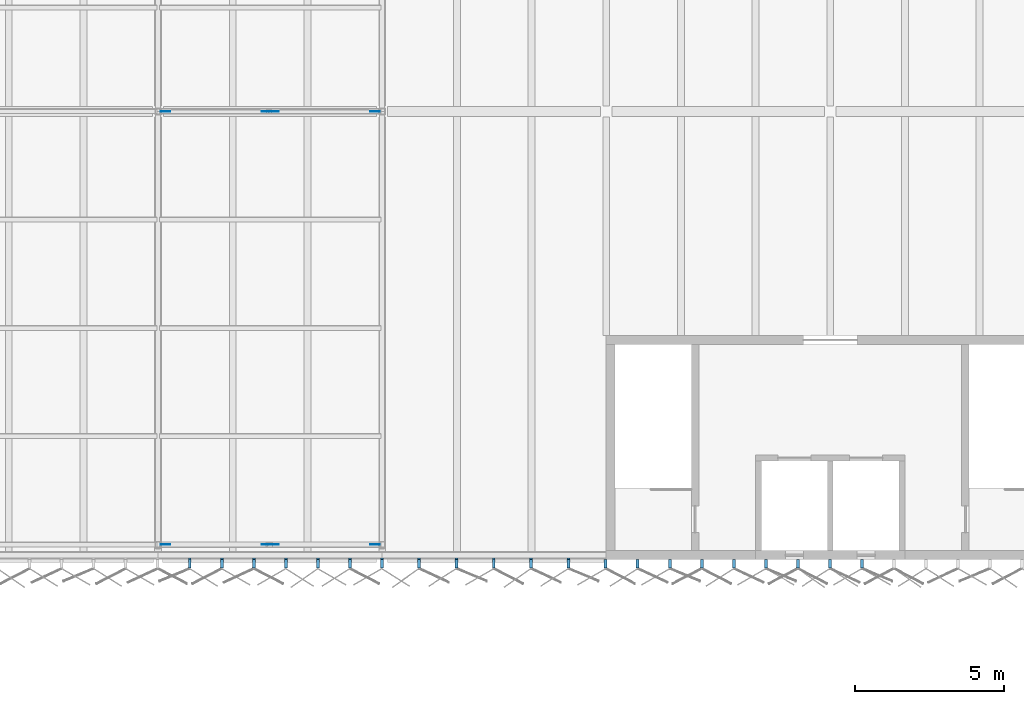
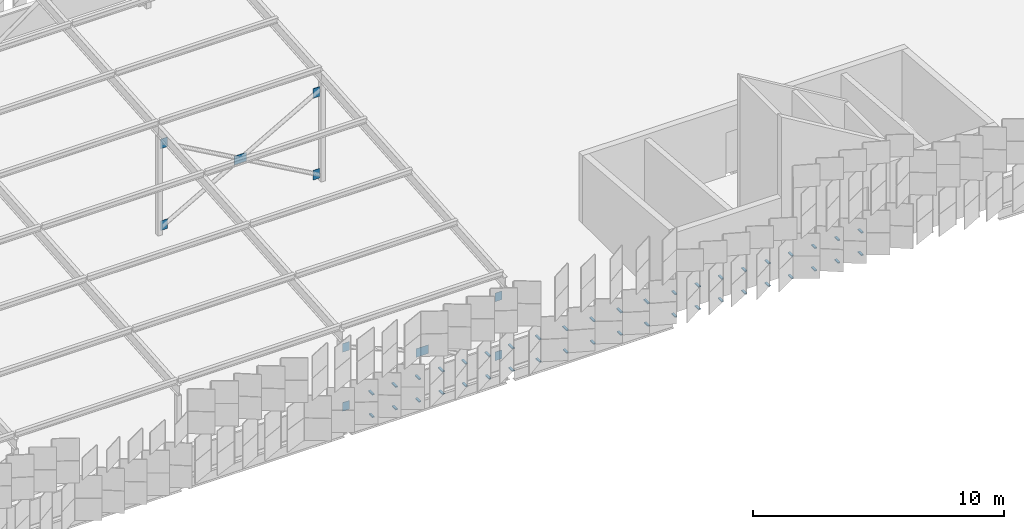
# One storey, part 436 of 483: 52 discrete accessories.
"""IFC4 building model written with IfcOpenShell, lengths in metres."""

from ifc_helpers import new_model, si_unit, direction, frame, origin, origin_2d, place, context, subcontext, project, spatial, polyline, rectangle, outline, extrude, material, layer, layer_set, type_object, element, save


model = new_model("IFC4")

# Units and contexts
model_context = context("Model", 3, precision=1e-05, world=origin(), true_north=direction((0.0, 1.0)))
body_context = subcontext(model_context, "Body", "Model", "MODEL_VIEW")
ifc_project = project(units=[si_unit("LENGTHUNIT", "METRE"), si_unit("AREAUNIT", "SQUARE_METRE"), si_unit("VOLUMEUNIT", "CUBIC_METRE"), si_unit("PLANEANGLEUNIT", "RADIAN"), si_unit("MASSUNIT", "GRAM", prefix="KILO")], contexts=[model_context])

# Site, building, storey
site_placement = place(None, origin())
site = spatial("IfcSite", under=ifc_project, at=site_placement, CompositionType="ELEMENT")
building_placement = place(site_placement, origin())
building = spatial("IfcBuilding", under=site, at=building_placement, Name="Parallax Yard Mobility Hub", CompositionType="ELEMENT")
storey_placement = place(building_placement, frame((0.0, 0.0, 13.199951171875)))
storey = spatial("IfcBuildingStorey", under=building, at=storey_placement, Name="L04", CompositionType="ELEMENT", Elevation=13.199951171875)

# Discrete accessories
ifc_material_1 = material(Name="Steel ASTM A36", Category="steel")
ifc_layer = layer(ifc_material_1, 0.011962890625)
ifc_layer_set = layer_set([ifc_layer], Name="Gusset plate PL12")
discrete_accessory_type_1 = type_object("IfcDiscreteAccessoryType", Name="Gusset plate PL12", PredefinedType="BRACKET", material=ifc_layer_set)
discrete_accessory_1_placement = place(storey_placement, frame((0.0, 0.0, 0.150146484375)))
element("IfcDiscreteAccessory", 1, at=discrete_accessory_1_placement, inside=storey, type_object=discrete_accessory_type_1, Name="Gusset plate PL12 RA bay N-A bay 4 foot on post N-A4", PredefinedType="BRACKET", context=body_context, shape_type="SweptSolid", body=[
    extrude(outline(polyline([(52.58154296875, 112.993896484375), (52.901611328125, 112.993896484375), (52.901611328125, 113.006103515625), (52.58154296875, 113.006103515625), (52.58154296875, 112.993896484375)])), origin(), (0.0, 0.0, 1.0), 0.42236328125),
])
for number, where, name in (
    (2, (0.0, 0.0, 3.017578125), "Gusset plate PL12 RA bay N-A bay 4 head on post N-A5"),
    (3, (0.0, 0.0, 0.150146484375), "Gusset plate PL12 RA bay N-A bay 4 foot on post N-A5"),
):
    element("IfcDiscreteAccessory", number, at=place(storey_placement, frame(where)), inside=storey, type_object=discrete_accessory_type_1, Name=name, PredefinedType="BRACKET", context=body_context, shape_type="SweptSolid", body=[
        extrude(outline(polyline([(59.91845703125, 113.006103515625), (59.598388671875, 113.006103515625), (59.598388671875, 112.993896484375), (59.91845703125, 112.993896484375), (59.91845703125, 113.006103515625)])), origin(), (0.0, 0.0, 1.0), 0.42236328125),
    ])
discrete_accessory_2_placement = place(storey_placement, frame((0.0, 0.0, 3.017578125)))
element("IfcDiscreteAccessory", 4, at=discrete_accessory_2_placement, inside=storey, type_object=discrete_accessory_type_1, Name="Gusset plate PL12 RA bay N-A bay 4 head on post N-A4", PredefinedType="BRACKET", context=body_context, shape_type="SweptSolid", body=[
    extrude(outline(polyline([(52.58154296875, 112.993896484375), (52.901611328125, 112.993896484375), (52.901611328125, 113.006103515625), (52.58154296875, 113.006103515625), (52.58154296875, 112.993896484375)])), origin(), (0.0, 0.0, 1.0), 0.42236328125),
])
discrete_accessory_3_placement = place(storey_placement, frame((0.0, 0.0, 1.5849609375)))
element("IfcDiscreteAccessory", 5, at=discrete_accessory_3_placement, inside=storey, type_object=discrete_accessory_type_1, Name="Gusset plate PL12 RA bay N-A bay 4 crossing node", PredefinedType="BRACKET", context=body_context, shape_type="SweptSolid", body=[
    extrude(outline(polyline([(55.969970703125, 112.993896484375), (56.530029296875, 112.993896484375), (56.530029296875, 113.006103515625), (55.969970703125, 113.006103515625), (55.969970703125, 112.993896484375)])), origin(), (0.0, 0.0, 1.0), 0.420166015625),
])
discrete_accessory_4_placement = place(storey_placement, frame((0.0, 0.0, 0.150146484375)))
element("IfcDiscreteAccessory", 6, at=discrete_accessory_4_placement, inside=storey, type_object=discrete_accessory_type_1, Name="Gusset plate PL12 RB bay N-A bay 4 foot on post N-A4", PredefinedType="BRACKET", context=body_context, shape_type="SweptSolid", body=[
    extrude(outline(polyline([(52.58154296875, 127.493896484375), (52.901611328125, 127.493896484375), (52.901611328125, 127.506103515625), (52.58154296875, 127.506103515625), (52.58154296875, 127.493896484375)])), origin(), (0.0, 0.0, 1.0), 0.4697265625),
])
discrete_accessory_5_placement = place(storey_placement, frame((0.0, 0.0, 4.130126953125)))
element("IfcDiscreteAccessory", 7, at=discrete_accessory_5_placement, inside=storey, type_object=discrete_accessory_type_1, Name="Gusset plate PL12 RB bay N-A bay 4 head on post N-A5", PredefinedType="BRACKET", context=body_context, shape_type="SweptSolid", body=[
    extrude(outline(polyline([(59.91845703125, 127.506103515625), (59.598388671875, 127.506103515625), (59.598388671875, 127.493896484375), (59.91845703125, 127.493896484375), (59.91845703125, 127.506103515625)])), origin(), (0.0, 0.0, 1.0), 0.469970703125),
])
discrete_accessory_6_placement = place(storey_placement, frame((0.0, 0.0, 0.150146484375)))
element("IfcDiscreteAccessory", 8, at=discrete_accessory_6_placement, inside=storey, type_object=discrete_accessory_type_1, Name="Gusset plate PL12 RB bay N-A bay 4 foot on post N-A5", PredefinedType="BRACKET", context=body_context, shape_type="SweptSolid", body=[
    extrude(outline(polyline([(59.91845703125, 127.506103515625), (59.598388671875, 127.506103515625), (59.598388671875, 127.493896484375), (59.91845703125, 127.493896484375), (59.91845703125, 127.506103515625)])), origin(), (0.0, 0.0, 1.0), 0.4697265625),
])
discrete_accessory_7_placement = place(storey_placement, frame((0.0, 0.0, 4.130126953125)))
element("IfcDiscreteAccessory", 9, at=discrete_accessory_7_placement, inside=storey, type_object=discrete_accessory_type_1, Name="Gusset plate PL12 RB bay N-A bay 4 head on post N-A4", PredefinedType="BRACKET", context=body_context, shape_type="SweptSolid", body=[
    extrude(outline(polyline([(52.58154296875, 127.493896484375), (52.901611328125, 127.493896484375), (52.901611328125, 127.506103515625), (52.58154296875, 127.506103515625), (52.58154296875, 127.493896484375)])), origin(), (0.0, 0.0, 1.0), 0.469970703125),
])
discrete_accessory_8_placement = place(storey_placement, frame((0.0, 0.0, 2.1650390625)))
element("IfcDiscreteAccessory", 10, at=discrete_accessory_8_placement, inside=storey, type_object=discrete_accessory_type_1, Name="Gusset plate PL12 RB bay N-A bay 4 crossing node", PredefinedType="BRACKET", context=body_context, shape_type="SweptSolid", body=[
    extrude(outline(polyline([(55.969970703125, 127.493896484375), (56.530029296875, 127.493896484375), (56.530029296875, 127.506103515625), (55.969970703125, 127.506103515625), (55.969970703125, 127.493896484375)])), origin(), (0.0, 0.0, 1.0), 0.419921875),
])
ifc_material_2 = material(Name="Steel ASTM A36, hot-dip galvanised", Category="steel")
discrete_accessory_type_2 = type_object("IfcDiscreteAccessoryType", Name="Hinge bracket plate 100x50", PredefinedType="BRACKET", material=ifc_material_2)
discrete_accessory_9_placement = place(storey_placement, frame((53.558349609375, 112.3583984375, -0.02490234375), z_axis=(0.0, 0.0, 1.0), x_axis=(0.0, -1.0, 0.0)))
element("IfcDiscreteAccessory", 11, at=discrete_accessory_9_placement, inside=storey, type_object=discrete_accessory_type_2, Name="Hinge bracket plate bay 4.2 level L04", PredefinedType="BRACKET", context=body_context, shape_type="SweptSolid", body=[
    extrude(rectangle(XDim=0.2841796875, YDim=0.10009765625, at=origin_2d()), origin(), (0.0, 0.0, 1.0), 0.050048828125),
])
discrete_accessory_10_placement = place(storey_placement, frame((53.558349609375, 112.38134765625, 1.06982421875), z_axis=(0.0, 0.0, 1.0), x_axis=(0.0, -1.0, 0.0)))
element("IfcDiscreteAccessory", 12, at=discrete_accessory_10_placement, inside=storey, type_object=discrete_accessory_type_2, Name="Hinge bracket plate bay 4.2 level L04", PredefinedType="BRACKET", context=body_context, shape_type="SweptSolid", body=[
    extrude(rectangle(XDim=0.330078125, YDim=0.10009765625, at=origin_2d()), origin(), (0.0, 0.0, 1.0), 0.050048828125),
])
discrete_accessory_11_placement = place(storey_placement, frame((54.6298828125, 112.3583984375, -0.02490234375), z_axis=(0.0, 0.0, 1.0), x_axis=(0.0, -1.0, 0.0)))
element("IfcDiscreteAccessory", 13, at=discrete_accessory_11_placement, inside=storey, type_object=discrete_accessory_type_2, Name="Hinge bracket plate bay 4.3 level L04", PredefinedType="BRACKET", context=body_context, shape_type="SweptSolid", body=[
    extrude(rectangle(XDim=0.2841796875, YDim=0.10009765625, at=origin_2d()), origin(), (0.0, 0.0, 1.0), 0.050048828125),
])
discrete_accessory_12_placement = place(storey_placement, frame((54.6298828125, 112.38134765625, 1.06982421875), z_axis=(0.0, 0.0, 1.0), x_axis=(0.0, -1.0, 0.0)))
element("IfcDiscreteAccessory", 14, at=discrete_accessory_12_placement, inside=storey, type_object=discrete_accessory_type_2, Name="Hinge bracket plate bay 4.3 level L04", PredefinedType="BRACKET", context=body_context, shape_type="SweptSolid", body=[
    extrude(rectangle(XDim=0.330078125, YDim=0.10009765625, at=origin_2d()), origin(), (0.0, 0.0, 1.0), 0.050048828125),
])
discrete_accessory_13_placement = place(storey_placement, frame((55.701416015625, 112.3583984375, -0.02490234375), z_axis=(0.0, 0.0, 1.0), x_axis=(0.0, -1.0, 0.0)))
element("IfcDiscreteAccessory", 15, at=discrete_accessory_13_placement, inside=storey, type_object=discrete_accessory_type_2, Name="Hinge bracket plate bay 4.4 level L04", PredefinedType="BRACKET", context=body_context, shape_type="SweptSolid", body=[
    extrude(rectangle(XDim=0.2841796875, YDim=0.10009765625, at=origin_2d()), origin(), (0.0, 0.0, 1.0), 0.050048828125),
])
discrete_accessory_14_placement = place(storey_placement, frame((55.701416015625, 112.38134765625, 1.06982421875), z_axis=(0.0, 0.0, 1.0), x_axis=(0.0, -1.0, 0.0)))
element("IfcDiscreteAccessory", 16, at=discrete_accessory_14_placement, inside=storey, type_object=discrete_accessory_type_2, Name="Hinge bracket plate bay 4.4 level L04", PredefinedType="BRACKET", context=body_context, shape_type="SweptSolid", body=[
    extrude(rectangle(XDim=0.330078125, YDim=0.10009765625, at=origin_2d()), origin(), (0.0, 0.0, 1.0), 0.050048828125),
])
discrete_accessory_15_placement = place(storey_placement, frame((56.772705078125, 112.3583984375, -0.02490234375), z_axis=(0.0, 0.0, 1.0), x_axis=(0.0, -1.0, 0.0)))
element("IfcDiscreteAccessory", 17, at=discrete_accessory_15_placement, inside=storey, type_object=discrete_accessory_type_2, Name="Hinge bracket plate bay 4.5 level L04", PredefinedType="BRACKET", context=body_context, shape_type="SweptSolid", body=[
    extrude(rectangle(XDim=0.2841796875, YDim=0.10009765625, at=origin_2d()), origin(), (0.0, 0.0, 1.0), 0.050048828125),
])
discrete_accessory_16_placement = place(storey_placement, frame((56.772705078125, 112.38134765625, 1.06982421875), z_axis=(0.0, 0.0, 1.0), x_axis=(0.0, -1.0, 0.0)))
element("IfcDiscreteAccessory", 18, at=discrete_accessory_16_placement, inside=storey, type_object=discrete_accessory_type_2, Name="Hinge bracket plate bay 4.5 level L04", PredefinedType="BRACKET", context=body_context, shape_type="SweptSolid", body=[
    extrude(rectangle(XDim=0.330078125, YDim=0.10009765625, at=origin_2d()), origin(), (0.0, 0.0, 1.0), 0.050048828125),
])
discrete_accessory_17_placement = place(storey_placement, frame((57.84423828125, 112.3583984375, -0.02490234375), z_axis=(0.0, 0.0, 1.0), x_axis=(0.0, -1.0, 0.0)))
element("IfcDiscreteAccessory", 19, at=discrete_accessory_17_placement, inside=storey, type_object=discrete_accessory_type_2, Name="Hinge bracket plate bay 4.6 level L04", PredefinedType="BRACKET", context=body_context, shape_type="SweptSolid", body=[
    extrude(rectangle(XDim=0.2841796875, YDim=0.10009765625, at=origin_2d()), origin(), (0.0, 0.0, 1.0), 0.050048828125),
])
discrete_accessory_18_placement = place(storey_placement, frame((57.84423828125, 112.38134765625, 1.06982421875), z_axis=(0.0, 0.0, 1.0), x_axis=(0.0, -1.0, 0.0)))
element("IfcDiscreteAccessory", 20, at=discrete_accessory_18_placement, inside=storey, type_object=discrete_accessory_type_2, Name="Hinge bracket plate bay 4.6 level L04", PredefinedType="BRACKET", context=body_context, shape_type="SweptSolid", body=[
    extrude(rectangle(XDim=0.330078125, YDim=0.10009765625, at=origin_2d()), origin(), (0.0, 0.0, 1.0), 0.050048828125),
])
discrete_accessory_19_placement = place(storey_placement, frame((58.915771484375, 112.3583984375, -0.02490234375), z_axis=(0.0, 0.0, 1.0), x_axis=(0.0, -1.0, 0.0)))
element("IfcDiscreteAccessory", 21, at=discrete_accessory_19_placement, inside=storey, type_object=discrete_accessory_type_2, Name="Hinge bracket plate bay 4.7 level L04", PredefinedType="BRACKET", context=body_context, shape_type="SweptSolid", body=[
    extrude(rectangle(XDim=0.2841796875, YDim=0.10009765625, at=origin_2d()), origin(), (0.0, 0.0, 1.0), 0.050048828125),
])
discrete_accessory_20_placement = place(storey_placement, frame((58.915771484375, 112.38134765625, 1.06982421875), z_axis=(0.0, 0.0, 1.0), x_axis=(0.0, -1.0, 0.0)))
element("IfcDiscreteAccessory", 22, at=discrete_accessory_20_placement, inside=storey, type_object=discrete_accessory_type_2, Name="Hinge bracket plate bay 4.7 level L04", PredefinedType="BRACKET", context=body_context, shape_type="SweptSolid", body=[
    extrude(rectangle(XDim=0.330078125, YDim=0.10009765625, at=origin_2d()), origin(), (0.0, 0.0, 1.0), 0.050048828125),
])
discrete_accessory_21_placement = place(storey_placement, frame((59.9873046875, 112.3583984375, -0.02490234375), z_axis=(0.0, 0.0, 1.0), x_axis=(0.0, -1.0, 0.0)))
element("IfcDiscreteAccessory", 23, at=discrete_accessory_21_placement, inside=storey, type_object=discrete_accessory_type_2, Name="Hinge bracket plate bay 5.1 level L04", PredefinedType="BRACKET", context=body_context, shape_type="SweptSolid", body=[
    extrude(rectangle(XDim=0.2841796875, YDim=0.10009765625, at=origin_2d()), origin(), (0.0, 0.0, 1.0), 0.050048828125),
])
discrete_accessory_22_placement = place(storey_placement, frame((59.9873046875, 112.38134765625, 1.06982421875), z_axis=(0.0, 0.0, 1.0), x_axis=(0.0, -1.0, 0.0)))
element("IfcDiscreteAccessory", 24, at=discrete_accessory_22_placement, inside=storey, type_object=discrete_accessory_type_2, Name="Hinge bracket plate bay 5.1 level L04", PredefinedType="BRACKET", context=body_context, shape_type="SweptSolid", body=[
    extrude(rectangle(XDim=0.330078125, YDim=0.10009765625, at=origin_2d()), origin(), (0.0, 0.0, 1.0), 0.050048828125),
])
discrete_accessory_23_placement = place(storey_placement, frame((61.236572265625, 112.3583984375, -0.02490234375), z_axis=(0.0, 0.0, 1.0), x_axis=(0.0, -1.0, 0.0)))
element("IfcDiscreteAccessory", 25, at=discrete_accessory_23_placement, inside=storey, type_object=discrete_accessory_type_2, Name="Hinge bracket plate bay 5.2 level L04", PredefinedType="BRACKET", context=body_context, shape_type="SweptSolid", body=[
    extrude(rectangle(XDim=0.2841796875, YDim=0.10009765625, at=origin_2d()), origin(), (0.0, 0.0, 1.0), 0.050048828125),
])
discrete_accessory_24_placement = place(storey_placement, frame((61.236572265625, 112.38134765625, 1.06982421875), z_axis=(0.0, 0.0, 1.0), x_axis=(0.0, -1.0, 0.0)))
element("IfcDiscreteAccessory", 26, at=discrete_accessory_24_placement, inside=storey, type_object=discrete_accessory_type_2, Name="Hinge bracket plate bay 5.2 level L04", PredefinedType="BRACKET", context=body_context, shape_type="SweptSolid", body=[
    extrude(rectangle(XDim=0.330078125, YDim=0.10009765625, at=origin_2d()), origin(), (0.0, 0.0, 1.0), 0.050048828125),
])
discrete_accessory_25_placement = place(storey_placement, frame((62.48583984375, 112.3583984375, -0.02490234375), z_axis=(0.0, 0.0, 1.0), x_axis=(0.0, -1.0, 0.0)))
element("IfcDiscreteAccessory", 27, at=discrete_accessory_25_placement, inside=storey, type_object=discrete_accessory_type_2, Name="Hinge bracket plate bay 5.3 level L04", PredefinedType="BRACKET", context=body_context, shape_type="SweptSolid", body=[
    extrude(rectangle(XDim=0.2841796875, YDim=0.10009765625, at=origin_2d()), origin(), (0.0, 0.0, 1.0), 0.050048828125),
])
discrete_accessory_26_placement = place(storey_placement, frame((62.48583984375, 112.38134765625, 1.06982421875), z_axis=(0.0, 0.0, 1.0), x_axis=(0.0, -1.0, 0.0)))
element("IfcDiscreteAccessory", 28, at=discrete_accessory_26_placement, inside=storey, type_object=discrete_accessory_type_2, Name="Hinge bracket plate bay 5.3 level L04", PredefinedType="BRACKET", context=body_context, shape_type="SweptSolid", body=[
    extrude(rectangle(XDim=0.330078125, YDim=0.10009765625, at=origin_2d()), origin(), (0.0, 0.0, 1.0), 0.050048828125),
])
discrete_accessory_27_placement = place(storey_placement, frame((63.735107421875, 112.3583984375, -0.02490234375), z_axis=(0.0, 0.0, 1.0), x_axis=(0.0, -1.0, 0.0)))
element("IfcDiscreteAccessory", 29, at=discrete_accessory_27_placement, inside=storey, type_object=discrete_accessory_type_2, Name="Hinge bracket plate bay 5.4 level L04", PredefinedType="BRACKET", context=body_context, shape_type="SweptSolid", body=[
    extrude(rectangle(XDim=0.2841796875, YDim=0.10009765625, at=origin_2d()), origin(), (0.0, 0.0, 1.0), 0.050048828125),
])
discrete_accessory_28_placement = place(storey_placement, frame((63.735107421875, 112.38134765625, 1.06982421875), z_axis=(0.0, 0.0, 1.0), x_axis=(0.0, -1.0, 0.0)))
element("IfcDiscreteAccessory", 30, at=discrete_accessory_28_placement, inside=storey, type_object=discrete_accessory_type_2, Name="Hinge bracket plate bay 5.4 level L04", PredefinedType="BRACKET", context=body_context, shape_type="SweptSolid", body=[
    extrude(rectangle(XDim=0.330078125, YDim=0.10009765625, at=origin_2d()), origin(), (0.0, 0.0, 1.0), 0.050048828125),
])
discrete_accessory_29_placement = place(storey_placement, frame((64.984375, 112.3583984375, -0.02490234375), z_axis=(0.0, 0.0, 1.0), x_axis=(0.0, -1.0, 0.0)))
element("IfcDiscreteAccessory", 31, at=discrete_accessory_29_placement, inside=storey, type_object=discrete_accessory_type_2, Name="Hinge bracket plate bay 5.5 level L04", PredefinedType="BRACKET", context=body_context, shape_type="SweptSolid", body=[
    extrude(rectangle(XDim=0.2841796875, YDim=0.10009765625, at=origin_2d()), origin(), (0.0, 0.0, 1.0), 0.050048828125),
])
discrete_accessory_30_placement = place(storey_placement, frame((64.984375, 112.38134765625, 1.06982421875), z_axis=(0.0, 0.0, 1.0), x_axis=(0.0, -1.0, 0.0)))
element("IfcDiscreteAccessory", 32, at=discrete_accessory_30_placement, inside=storey, type_object=discrete_accessory_type_2, Name="Hinge bracket plate bay 5.5 level L04", PredefinedType="BRACKET", context=body_context, shape_type="SweptSolid", body=[
    extrude(rectangle(XDim=0.330078125, YDim=0.10009765625, at=origin_2d()), origin(), (0.0, 0.0, 1.0), 0.050048828125),
])
discrete_accessory_31_placement = place(storey_placement, frame((66.233642578125, 112.3583984375, -0.02490234375), z_axis=(0.0, 0.0, 1.0), x_axis=(0.0, -1.0, 0.0)))
element("IfcDiscreteAccessory", 33, at=discrete_accessory_31_placement, inside=storey, type_object=discrete_accessory_type_2, Name="Hinge bracket plate bay 5.6 level L04", PredefinedType="BRACKET", context=body_context, shape_type="SweptSolid", body=[
    extrude(rectangle(XDim=0.2841796875, YDim=0.10009765625, at=origin_2d()), origin(), (0.0, 0.0, 1.0), 0.050048828125),
])
discrete_accessory_32_placement = place(storey_placement, frame((66.233642578125, 112.38134765625, 1.06982421875), z_axis=(0.0, 0.0, 1.0), x_axis=(0.0, -1.0, 0.0)))
element("IfcDiscreteAccessory", 34, at=discrete_accessory_32_placement, inside=storey, type_object=discrete_accessory_type_2, Name="Hinge bracket plate bay 5.6 level L04", PredefinedType="BRACKET", context=body_context, shape_type="SweptSolid", body=[
    extrude(rectangle(XDim=0.330078125, YDim=0.10009765625, at=origin_2d()), origin(), (0.0, 0.0, 1.0), 0.050048828125),
])
for number, where, z_axis, x_axis, name in (
    (35, (67.48291015625, 112.3583984375, -0.02490234375), (0.0, 0.0, 1.0), (0.0, -1.0, 0.0), "Hinge bracket plate bay 6.1 level L04"),
    (36, (67.48291015625, 112.3583984375, 1.06982421875), (0.0, 0.0, 1.0), (0.0, -1.0, 0.0), "Hinge bracket plate bay 6.1 level L04"),
    (37, (68.55517578125, 112.3583984375, -0.02490234375), (0.0, 0.0, 1.0), (0.0, -1.0, 0.0), "Hinge bracket plate bay 6.2 level L04"),
    (38, (68.55517578125, 112.3583984375, 1.06982421875), (0.0, 0.0, 1.0), (0.0, -1.0, 0.0), "Hinge bracket plate bay 6.2 level L04"),
    (39, (69.627197265625, 112.3583984375, -0.02490234375), (0.0, 0.0, 1.0), (0.0, -1.0, 0.0), "Hinge bracket plate bay 6.3 level L04"),
    (40, (69.627197265625, 112.3583984375, 1.06982421875), (0.0, 0.0, 1.0), (0.0, -1.0, 0.0), "Hinge bracket plate bay 6.3 level L04"),
    (41, (70.699462890625, 112.3583984375, -0.02490234375), (0.0, 0.0, 1.0), (0.0, -1.0, 0.0), "Hinge bracket plate bay 6.4 level L04"),
    (42, (70.699462890625, 112.3583984375, 1.06982421875), (0.0, 0.0, 1.0), (0.0, -1.0, 0.0), "Hinge bracket plate bay 6.4 level L04"),
    (43, (71.771728515625, 112.3583984375, -0.02490234375), (0.0, 0.0, 1.0), (0.0, -1.0, 0.0), "Hinge bracket plate bay 6.5 level L04"),
    (44, (71.771728515625, 112.3583984375, 1.06982421875), (0.0, 0.0, 1.0), (0.0, -1.0, 0.0), "Hinge bracket plate bay 6.5 level L04"),
    (45, (72.843994140625, 112.3583984375, -0.02490234375), (0.0, 0.0, 1.0), (0.0, -1.0, 0.0), "Hinge bracket plate bay 6.6 level L04"),
    (46, (72.843994140625, 112.3583984375, 1.06982421875), (0.0, 0.0, 1.0), (0.0, -1.0, 0.0), "Hinge bracket plate bay 6.6 level L04"),
    (47, (73.916015625, 112.3583984375, -0.02490234375), (0.0, 0.0, 1.0), (0.0, -1.0, 0.0), "Hinge bracket plate bay 6.7 level L04"),
    (48, (73.916015625, 112.3583984375, 1.06982421875), (0.0, 0.0, 1.0), (0.0, -1.0, 0.0), "Hinge bracket plate bay 6.7 level L04"),
    (49, (74.98828125, 112.3583984375, -0.02490234375), (0.0, 0.0, 1.0), (0.0, -1.0, 0.0), "Hinge bracket plate bay 6.8 level L04"),
    (50, (74.98828125, 112.3583984375, 1.06982421875), (0.0, 0.0, 1.0), (0.0, -1.0, 0.0), "Hinge bracket plate bay 6.8 level L04"),
    (51, (76.060546875, 112.3583984375, -0.02490234375), (0.0, 0.0, 1.0), (0.0, -1.0, 0.0), "Hinge bracket plate bay 6.9 level L04"),
    (52, (76.060546875, 112.3583984375, 1.06982421875), (0.0, 0.0, 1.0), (0.0, -1.0, 0.0), "Hinge bracket plate bay 6.9 level L04"),
):
    element("IfcDiscreteAccessory", number, at=place(storey_placement, frame(where, z_axis=z_axis, x_axis=x_axis)), inside=storey, type_object=discrete_accessory_type_2, Name=name, PredefinedType="BRACKET", context=body_context, shape_type="SweptSolid", body=[
        extrude(rectangle(XDim=0.2841796875, YDim=0.10009765625, at=origin_2d()), origin(), (0.0, 0.0, 1.0), 0.050048828125),
    ])

save(model, "model.ifc")
